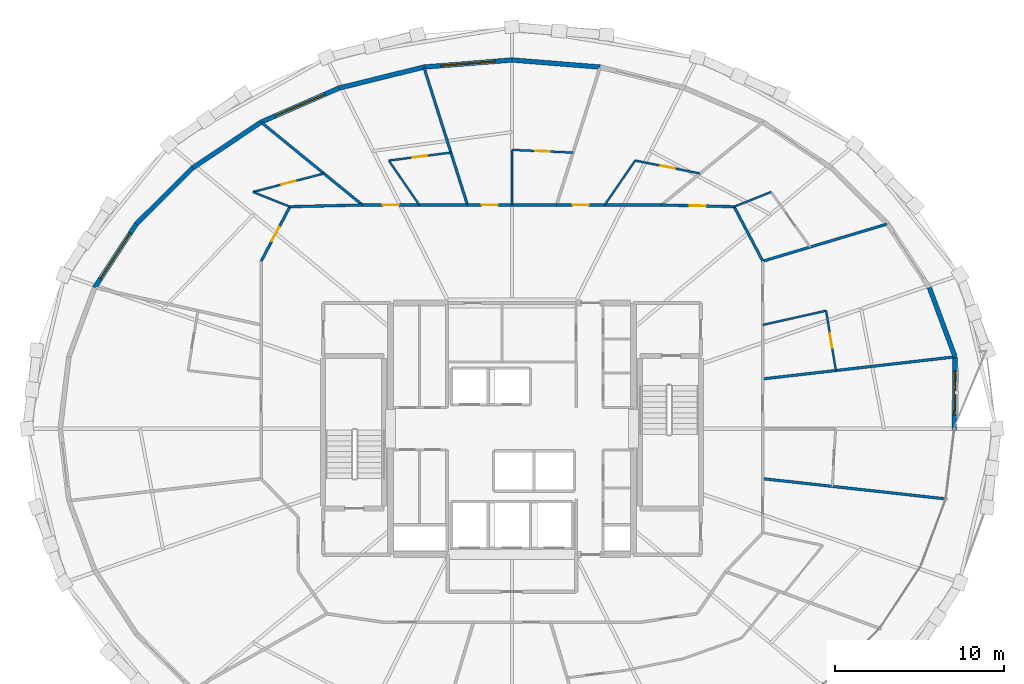
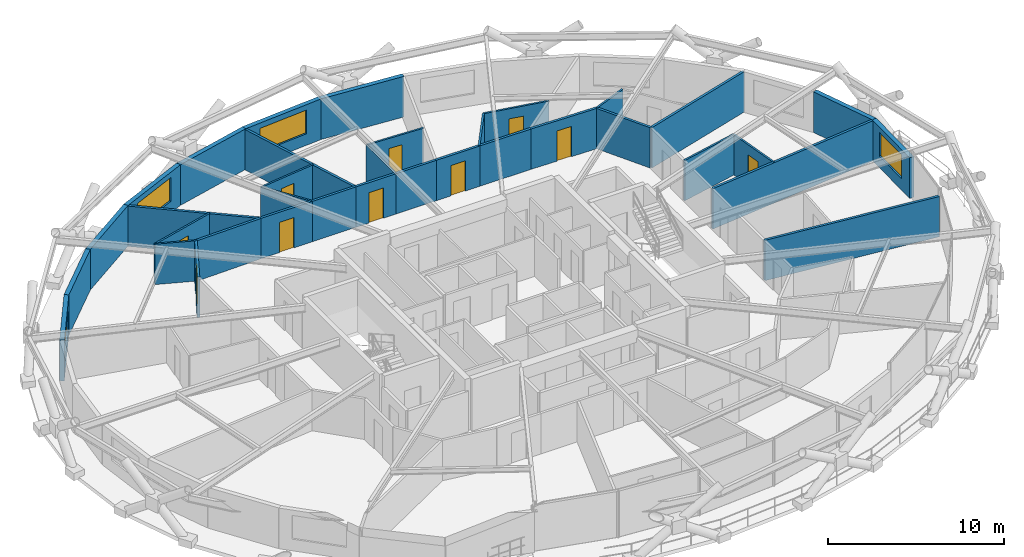
# One storey, part 16 of 20: 35 walls, 10 doors, 4 windows, 14 openings.
"""IFC4 building model written with IfcOpenShell, lengths in metres."""

from ifc_helpers import new_model, si_unit, direction, frame, frame_2d, origin, place, context, subcontext, project, spatial, rectangle, extrude, material, layer, layer_set, type_object, element, fill, save


model = new_model("IFC4")

# Units and contexts
model_context = context("Model", 3, precision=1e-05, world=origin(), true_north=direction((0.0, 1.0)))
body_context = subcontext(model_context, "Body", "Model", "MODEL_VIEW")
ifc_project = project(units=[si_unit("LENGTHUNIT", "METRE"), si_unit("AREAUNIT", "SQUARE_METRE"), si_unit("VOLUMEUNIT", "CUBIC_METRE"), si_unit("PLANEANGLEUNIT", "RADIAN"), si_unit("MASSUNIT", "GRAM", prefix="KILO")], contexts=[model_context])

# Site, building, storey
site_placement = place(None, origin())
site = spatial("IfcSite", under=ifc_project, at=site_placement, CompositionType="ELEMENT")
building_placement = place(site_placement, origin())
building = spatial("IfcBuilding", under=site, at=building_placement, Name="Veldorina Hangang Commons", CompositionType="ELEMENT")
storey_placement = place(building_placement, frame((0.0, 0.0, 117.199951171875)))
storey = spatial("IfcBuildingStorey", under=building, at=storey_placement, Name="L29", CompositionType="ELEMENT", Elevation=117.199951171875)

# Wall, opening, window
ifc_material_1 = material(Name="Stone Roman Travertine", Category="masonry")
ifc_layer_1 = layer(ifc_material_1, 0.280029296875)
ifc_layer_set_1 = layer_set([ifc_layer_1], Name="Stone Roman Travertine")
wall_type_1 = type_object("IfcWallType", Name="EW-TRAV-280", PredefinedType="STANDARD", material=ifc_layer_set_1)
wall_1_placement = place(storey_placement, frame((58.185546875, 23.907958984375, 0.0), z_axis=(0.0, 0.0, 1.0), x_axis=(0.010826854859, 0.999941387889, 0.0)))
wall_1 = element("IfcWall", 1, at=wall_1_placement, inside=storey, type_object=wall_type_1, Name="L29 travertine facade wall 00", PredefinedType="STANDARD", context=body_context, shape_type="SweptSolid", body=[
    extrude(rectangle(XDim=4.35205078125, YDim=0.280029296875, at=frame_2d((2.176025390625, 0.0))), origin(), (0.0, 0.0, 1.0), 2.820068359375),
])
opening_1_placement = place(wall_1_placement, frame((0.922119140625, 0.0, 0.800048828125)))
opening_1 = element("IfcOpeningElement", 2, at=opening_1_placement, cuts=wall_1, Name="Opening W-02", PredefinedType="OPENING", context=body_context, shape_type="SweptSolid", body=[
    extrude(rectangle(XDim=2.60009765625, YDim=1.64990234375, at=frame_2d((1.300048828125, 0.824951171875))), frame((0.0, 0.14990234375, 0.0), z_axis=(0.0, -1.0, 0.0), x_axis=(1.0, 0.0, 0.0)), (0.0, 0.0, 1.0), 0.300048828125),
])
ifc_material_2 = material(Name="Glass Low-E Triple IGU", Category="glass")
window_type_1 = type_object("IfcWindowType", Name="WIN-TWR-2600", PartitioningType="SINGLE_PANEL", PredefinedType="WINDOW", material=ifc_material_2)
window_1_placement = place(opening_1_placement, origin())
window_1 = element("IfcWindow", 3, at=window_1_placement, inside=storey, type_object=window_type_1, Name="L29 facade window 00", OverallHeight=1.64990234375, OverallWidth=2.60009765625, PartitioningType="SINGLE_PANEL", PredefinedType="WINDOW", context=body_context, shape_type="SweptSolid", body=[
    extrude(rectangle(XDim=2.60009765625, YDim=1.64990234375, at=frame_2d((1.300048828125, 0.824951171875))), frame((0.0, 0.030029296875, 0.0), z_axis=(0.0, -1.0, 0.0), x_axis=(1.0, 0.0, 0.0)), (0.0, 0.0, 1.0), 0.06005859375),
])
fill(opening_1, window_1)

# Walls
wall_2_placement = place(storey_placement, frame((58.232666015625, 28.259765625, 0.0), z_axis=(0.0, 0.0, 1.0), x_axis=(-0.34836047158, 0.937360646625, 0.0)))
element("IfcWall", 4, at=wall_2_placement, inside=storey, type_object=wall_type_1, Name="L29 travertine facade wall 01", PredefinedType="STANDARD", context=body_context, shape_type="SweptSolid", body=[
    extrude(rectangle(XDim=4.36962890625, YDim=0.280029296875, at=frame_2d((2.184814453125, 0.0))), origin(), (0.0, 0.0, 1.0), 2.820068359375),
])
wall_3_placement = place(storey_placement, frame((37.218017578125, 45.4150390625, 0.0), z_axis=(0.0, 0.0, 1.0), x_axis=(-0.996781229601, 0.080169696986, 0.0)))
element("IfcWall", 5, at=wall_3_placement, inside=storey, type_object=wall_type_1, Name="L29 travertine facade wall 07", PredefinedType="STANDARD", context=body_context, shape_type="SweptSolid", body=[
    extrude(rectangle(XDim=5.23486328125, YDim=0.280029296875, at=frame_2d((2.617431640625, 0.0))), origin(), (0.0, 0.0, 1.0), 2.820068359375),
])

# Wall, opening, window
wall_4_placement = place(storey_placement, frame((32.0, 45.834716796875, 0.0), z_axis=(0.0, 0.0, 1.0), x_axis=(-0.996781229601, -0.080169696986, 0.0)))
wall_4 = element("IfcWall", 6, at=wall_4_placement, inside=storey, type_object=wall_type_1, Name="L29 travertine facade wall 08", PredefinedType="STANDARD", context=body_context, shape_type="SweptSolid", body=[
    extrude(rectangle(XDim=5.23486328125, YDim=0.280029296875, at=frame_2d((2.617431640625, 0.0))), origin(), (0.0, 0.0, 1.0), 2.820068359375),
])
opening_2_placement = place(wall_4_placement, frame((1.017333984375, 0.0, 0.800048828125)))
opening_2 = element("IfcOpeningElement", 7, at=opening_2_placement, cuts=wall_4, Name="Opening W-01", PredefinedType="OPENING", context=body_context, shape_type="SweptSolid", body=[
    extrude(rectangle(XDim=3.199951171875, YDim=1.64990234375, at=frame_2d((1.60009765625, 0.824951171875))), frame((0.0, 0.14990234375, 0.0), z_axis=(0.0, -1.0, 0.0), x_axis=(1.0, 0.0, 0.0)), (0.0, 0.0, 1.0), 0.300048828125),
])
window_type_2 = type_object("IfcWindowType", Name="WIN-TWR-3200", PartitioningType="SINGLE_PANEL", PredefinedType="WINDOW", material=ifc_material_2)
window_2_placement = place(opening_2_placement, origin())
window_2 = element("IfcWindow", 8, at=window_2_placement, inside=storey, type_object=window_type_2, Name="L29 facade window 08", OverallHeight=1.64990234375, OverallWidth=3.199951171875, PartitioningType="SINGLE_PANEL", PredefinedType="WINDOW", context=body_context, shape_type="SweptSolid", body=[
    extrude(rectangle(XDim=3.199951171875, YDim=1.64990234375, at=frame_2d((1.60009765625, 0.824951171875))), frame((0.0, 0.030029296875, 0.0), z_axis=(0.0, -1.0, 0.0), x_axis=(1.0, 0.0, 0.0)), (0.0, 0.0, 1.0), 0.06005859375),
])
fill(opening_2, window_2)

# Wall
wall_5_placement = place(storey_placement, frame((26.781982421875, 45.4150390625, 0.0), z_axis=(0.0, 0.0, 1.0), x_axis=(-0.970681867926, -0.24036786657, 0.0)))
element("IfcWall", 9, at=wall_5_placement, inside=storey, type_object=wall_type_1, Name="L29 travertine facade wall 09", PredefinedType="STANDARD", context=body_context, shape_type="SweptSolid", body=[
    extrude(rectangle(XDim=5.1689453125, YDim=0.280029296875, at=frame_2d((2.58447265625, 0.0))), origin(), (0.0, 0.0, 1.0), 2.820068359375),
])

# Wall, opening, window
wall_6_placement = place(storey_placement, frame((21.7646484375, 44.172607421875, 0.0), z_axis=(0.0, 0.0, 1.0), x_axis=(-0.916542280899, -0.39993780432, 0.0)))
wall_6 = element("IfcWall", 10, at=wall_6_placement, inside=storey, type_object=wall_type_1, Name="L29 travertine facade wall 10", PredefinedType="STANDARD", context=body_context, shape_type="SweptSolid", body=[
    extrude(rectangle(XDim=5.04541015625, YDim=0.280029296875, at=frame_2d((2.522705078125, 0.0))), origin(), (0.0, 0.0, 1.0), 2.820068359375),
])
opening_3_placement = place(wall_6_placement, frame((0.922607421875, 0.0, 0.800048828125)))
opening_3 = element("IfcOpeningElement", 11, at=opening_3_placement, cuts=wall_6, Name="Opening W-01", PredefinedType="OPENING", context=body_context, shape_type="SweptSolid", body=[
    extrude(rectangle(XDim=3.199951171875, YDim=1.64990234375, at=frame_2d((1.60009765625, 0.824951171875))), frame((0.0, 0.14990234375, 0.0), z_axis=(0.0, -1.0, 0.0), x_axis=(1.0, 0.0, 0.0)), (0.0, 0.0, 1.0), 0.300048828125),
])
window_3_placement = place(opening_3_placement, origin())
window_3 = element("IfcWindow", 12, at=window_3_placement, inside=storey, type_object=window_type_2, Name="L29 facade window 10", OverallHeight=1.64990234375, OverallWidth=3.199951171875, PartitioningType="SINGLE_PANEL", PredefinedType="WINDOW", context=body_context, shape_type="SweptSolid", body=[
    extrude(rectangle(XDim=3.199951171875, YDim=1.64990234375, at=frame_2d((1.60009765625, 0.824951171875))), frame((0.0, 0.030029296875, 0.0), z_axis=(0.0, -1.0, 0.0), x_axis=(1.0, 0.0, 0.0)), (0.0, 0.0, 1.0), 0.06005859375),
])
fill(opening_3, window_3)

# Walls
wall_7_placement = place(storey_placement, frame((17.140380859375, 42.15478515625, 0.0), z_axis=(0.0, 0.0, 1.0), x_axis=(-0.830785482437, -0.556592743549, 0.0)))
element("IfcWall", 13, at=wall_7_placement, inside=storey, type_object=wall_type_1, Name="L29 travertine facade wall 11", PredefinedType="STANDARD", context=body_context, shape_type="SweptSolid", body=[
    extrude(rectangle(XDim=4.87841796875, YDim=0.280029296875, at=frame_2d((2.439208984375, 0.0))), origin(), (0.0, 0.0, 1.0), 2.820068359375),
])
wall_8_placement = place(storey_placement, frame((13.08740234375, 39.439453125, 0.0), z_axis=(0.0, 0.0, 1.0), x_axis=(-0.708977561681, -0.705231038052, 0.0)))
element("IfcWall", 14, at=wall_8_placement, inside=storey, type_object=wall_type_1, Name="L29 travertine facade wall 12", PredefinedType="STANDARD", context=body_context, shape_type="SweptSolid", body=[
    extrude(rectangle(XDim=4.69189453125, YDim=0.280029296875, at=frame_2d((2.345947265625, 0.0))), origin(), (0.0, 0.0, 1.0), 2.820068359375),
])

# Wall, opening, window
wall_9_placement = place(storey_placement, frame((9.760986328125, 36.130615234375, 0.0), z_axis=(0.0, 0.0, 1.0), x_axis=(-0.547750773174, -0.836641554363, 0.0)))
wall_9 = element("IfcWall", 15, at=wall_9_placement, inside=storey, type_object=wall_type_1, Name="L29 travertine facade wall 13", PredefinedType="STANDARD", context=body_context, shape_type="SweptSolid", body=[
    extrude(rectangle(XDim=4.511962890625, YDim=0.280029296875, at=frame_2d((2.255859375, 0.0))), origin(), (0.0, 0.0, 1.0), 2.820068359375),
])
opening_4_placement = place(wall_9_placement, frame((0.656005859375, 0.0, 0.800048828125)))
opening_4 = element("IfcOpeningElement", 16, at=opening_4_placement, cuts=wall_9, Name="Opening W-01", PredefinedType="OPENING", context=body_context, shape_type="SweptSolid", body=[
    extrude(rectangle(XDim=3.199951171875, YDim=1.64990234375, at=frame_2d((1.60009765625, 0.824951171875))), frame((0.0, 0.14990234375, 0.0), z_axis=(0.0, -1.0, 0.0), x_axis=(1.0, 0.0, 0.0)), (0.0, 0.0, 1.0), 0.300048828125),
])
window_4_placement = place(opening_4_placement, origin())
window_4 = element("IfcWindow", 17, at=window_4_placement, inside=storey, type_object=window_type_2, Name="L29 facade window 13", OverallHeight=1.64990234375, OverallWidth=3.199951171875, PartitioningType="SINGLE_PANEL", PredefinedType="WINDOW", context=body_context, shape_type="SweptSolid", body=[
    extrude(rectangle(XDim=3.199951171875, YDim=1.64990234375, at=frame_2d((1.60009765625, 0.824951171875))), frame((0.0, 0.030029296875, 0.0), z_axis=(0.0, -1.0, 0.0), x_axis=(1.0, 0.0, 0.0)), (0.0, 0.0, 1.0), 0.06005859375),
])
fill(opening_4, window_4)

# Wall
ifc_material_3 = material(Name="Gypsum Fire-Rated Twin Stud Wall", Category="gypsum")
ifc_layer_2 = layer(ifc_material_3, 0.159912109375)
ifc_layer_set_2 = layer_set([ifc_layer_2], Name="Gypsum Fire-Rated Twin Stud Wall")
wall_type_2 = type_object("IfcWallType", Name="WL-FIRE-160", PredefinedType="SOLIDWALL", material=ifc_layer_set_2)
wall_10_placement = place(storey_placement, frame((46.85009765625, 33.922607421875, 0.0), z_axis=(0.0, 0.0, 1.0), x_axis=(-0.466093963429, 0.884735224378, 0.0)))
element("IfcWall", 18, at=wall_10_placement, inside=storey, type_object=wall_type_2, Name="L29 U-corridor outer wall 03 053", PredefinedType="SOLIDWALL", context=body_context, shape_type="SweptSolid", body=[
    extrude(rectangle(XDim=3.647705078125, YDim=0.159912109375, at=frame_2d((1.82373046875, 0.0))), origin(), (0.0, 0.0, 1.0), 2.800048828125),
])

# Wall, opening, door
wall_11_placement = place(storey_placement, frame((45.14990234375, 37.14990234375, 0.0), z_axis=(0.0, 0.0, 1.0), x_axis=(-0.999728709658, 0.023291781507, 0.0)))
wall_11 = element("IfcWall", 19, at=wall_11_placement, inside=storey, type_object=wall_type_2, Name="L29 U-corridor outer wall 04 054", PredefinedType="SOLIDWALL", context=body_context, shape_type="SweptSolid", body=[
    extrude(rectangle(XDim=4.297607421875, YDim=0.159912109375, at=frame_2d((2.14892578125, 0.0))), origin(), (0.0, 0.0, 1.0), 2.800048828125),
])
opening_5_placement = place(wall_11_placement, frame((1.673828125, 0.0, 0.0)))
opening_5 = element("IfcOpeningElement", 20, at=opening_5_placement, cuts=wall_11, Name="Opening D-03", PredefinedType="OPENING", context=body_context, shape_type="SweptSolid", body=[
    extrude(rectangle(XDim=0.949951171875, YDim=2.10009765625, at=frame_2d((0.47509765625, 1.050048828125))), frame((0.0, 0.08984375, 0.0), z_axis=(0.0, -1.0, 0.0), x_axis=(1.0, 0.0, 0.0)), (0.0, 0.0, 1.0), 0.179931640625),
])
ifc_material_4 = material(Name="Timber Fire-Rated Entrance Core", Category="wood")
door_type_1 = type_object("IfcDoorType", Name="DR-UNIT-950", OperationType="SINGLE_SWING_RIGHT", PredefinedType="DOOR", material=ifc_material_4)
door_1_placement = place(opening_5_placement, origin())
door_1 = element("IfcDoor", 21, at=door_1_placement, inside=storey, type_object=door_type_1, Name="L29 Studio 5 entrance door 031", OperationType="SINGLE_SWING_LEFT", OverallHeight=2.10009765625, OverallWidth=0.949951171875, PredefinedType="DOOR", context=body_context, shape_type="SweptSolid", body=[
    extrude(rectangle(XDim=0.949951171875, YDim=2.10009765625, at=frame_2d((0.47509765625, 1.050048828125))), frame((0.0, 0.02490234375, 0.0), z_axis=(0.0, -1.0, 0.0), x_axis=(1.0, 0.0, 0.0)), (0.0, 0.0, 1.0), 0.050048828125),
])
fill(opening_5, door_1)

# Wall
wall_12_placement = place(storey_placement, frame((40.853515625, 37.25, 0.0), z_axis=(0.0, 0.0, 1.0), x_axis=(-1.0, 0.0, 0.0)))
element("IfcWall", 22, at=wall_12_placement, inside=storey, type_object=wall_type_2, Name="L29 U-corridor outer wall 05 055", PredefinedType="SOLIDWALL", context=body_context, shape_type="SweptSolid", body=[
    extrude(rectangle(XDim=3.365234375, YDim=0.159912109375, at=frame_2d((1.6826171875, 0.0))), origin(), (0.0, 0.0, 1.0), 2.800048828125),
])

# Wall, opening, door
wall_13_placement = place(storey_placement, frame((37.48828125, 37.25, 0.0), z_axis=(0.0, 0.0, 1.0), x_axis=(-1.0, 0.0, 0.0)))
wall_13 = element("IfcWall", 23, at=wall_13_placement, inside=storey, type_object=wall_type_2, Name="L29 U-corridor outer wall 06 056", PredefinedType="SOLIDWALL", context=body_context, shape_type="SweptSolid", body=[
    extrude(rectangle(XDim=2.852783203125, YDim=0.159912109375, at=frame_2d((1.42626953125, 0.0))), origin(), (0.0, 0.0, 1.0), 2.800048828125),
])
opening_6_placement = place(wall_13_placement, frame((0.951416015625, 0.0, 0.0)))
opening_6 = element("IfcOpeningElement", 24, at=opening_6_placement, cuts=wall_13, Name="Opening D-03", PredefinedType="OPENING", context=body_context, shape_type="SweptSolid", body=[
    extrude(rectangle(XDim=0.949951171875, YDim=2.10009765625, at=frame_2d((0.47509765625, 1.050048828125))), frame((0.0, 0.08984375, 0.0), z_axis=(0.0, -1.0, 0.0), x_axis=(1.0, 0.0, 0.0)), (0.0, 0.0, 1.0), 0.179931640625),
])
door_2_placement = place(opening_6_placement, origin())
door_2 = element("IfcDoor", 25, at=door_2_placement, inside=storey, type_object=door_type_1, Name="L29 Studio 6 entrance door 033", OperationType="SINGLE_SWING_LEFT", OverallHeight=2.10009765625, OverallWidth=0.949951171875, PredefinedType="DOOR", context=body_context, shape_type="SweptSolid", body=[
    extrude(rectangle(XDim=0.949951171875, YDim=2.10009765625, at=frame_2d((0.47509765625, 1.050048828125))), frame((0.0, 0.02490234375, 0.0), z_axis=(0.0, -1.0, 0.0), x_axis=(1.0, 0.0, 0.0)), (0.0, 0.0, 1.0), 0.050048828125),
])
fill(opening_6, door_2)

# Wall
wall_14_placement = place(storey_placement, frame((34.635498046875, 37.25, 0.0), z_axis=(0.0, 0.0, 1.0), x_axis=(-1.0, 0.0, 0.0)))
element("IfcWall", 26, at=wall_14_placement, inside=storey, type_object=wall_type_2, Name="L29 U-corridor outer wall 07 057", PredefinedType="SOLIDWALL", context=body_context, shape_type="SweptSolid", body=[
    extrude(rectangle(XDim=2.635498046875, YDim=0.159912109375, at=frame_2d((1.31787109375, 0.0))), origin(), (0.0, 0.0, 1.0), 2.800048828125),
])

# Wall, opening, door
wall_15_placement = place(storey_placement, frame((32.0, 37.25, 0.0), z_axis=(0.0, 0.0, 1.0), x_axis=(-1.0, 0.0, 0.0)))
wall_15 = element("IfcWall", 27, at=wall_15_placement, inside=storey, type_object=wall_type_2, Name="L29 U-corridor outer wall 08 058", PredefinedType="SOLIDWALL", context=body_context, shape_type="SweptSolid", body=[
    extrude(rectangle(XDim=2.635498046875, YDim=0.159912109375, at=frame_2d((1.31787109375, 0.0))), origin(), (0.0, 0.0, 1.0), 2.800048828125),
])
opening_7_placement = place(wall_15_placement, frame((0.8427734375, 0.0, 0.0)))
opening_7 = element("IfcOpeningElement", 28, at=opening_7_placement, cuts=wall_15, Name="Opening D-03", PredefinedType="OPENING", context=body_context, shape_type="SweptSolid", body=[
    extrude(rectangle(XDim=0.949951171875, YDim=2.10009765625, at=frame_2d((0.47509765625, 1.050048828125))), frame((0.0, 0.08984375, 0.0), z_axis=(0.0, -1.0, 0.0), x_axis=(1.0, 0.0, 0.0)), (0.0, 0.0, 1.0), 0.179931640625),
])
door_3_placement = place(opening_7_placement, origin())
door_3 = element("IfcDoor", 29, at=door_3_placement, inside=storey, type_object=door_type_1, Name="L29 Studio 7 entrance door 035", OperationType="SINGLE_SWING_LEFT", OverallHeight=2.10009765625, OverallWidth=0.949951171875, PredefinedType="DOOR", context=body_context, shape_type="SweptSolid", body=[
    extrude(rectangle(XDim=0.949951171875, YDim=2.10009765625, at=frame_2d((0.47509765625, 1.050048828125))), frame((0.0, 0.02490234375, 0.0), z_axis=(0.0, -1.0, 0.0), x_axis=(1.0, 0.0, 0.0)), (0.0, 0.0, 1.0), 0.050048828125),
])
fill(opening_7, door_3)

# Wall
wall_16_placement = place(storey_placement, frame((29.364501953125, 37.25, 0.0), z_axis=(0.0, 0.0, 1.0), x_axis=(-1.0, 0.0, 0.0)))
element("IfcWall", 30, at=wall_16_placement, inside=storey, type_object=wall_type_2, Name="L29 U-corridor outer wall 09 059", PredefinedType="SOLIDWALL", context=body_context, shape_type="SweptSolid", body=[
    extrude(rectangle(XDim=2.852783203125, YDim=0.159912109375, at=frame_2d((1.42626953125, 0.0))), origin(), (0.0, 0.0, 1.0), 2.800048828125),
])

# Wall, opening, door
wall_17_placement = place(storey_placement, frame((26.51171875, 37.25, 0.0), z_axis=(0.0, 0.0, 1.0), x_axis=(-1.0, 0.0, 0.0)))
wall_17 = element("IfcWall", 31, at=wall_17_placement, inside=storey, type_object=wall_type_2, Name="L29 U-corridor outer wall 10 060", PredefinedType="SOLIDWALL", context=body_context, shape_type="SweptSolid", body=[
    extrude(rectangle(XDim=3.365234375, YDim=0.159912109375, at=frame_2d((1.6826171875, 0.0))), origin(), (0.0, 0.0, 1.0), 2.800048828125),
])
opening_8_placement = place(wall_17_placement, frame((1.20751953125, 0.0, 0.0)))
opening_8 = element("IfcOpeningElement", 32, at=opening_8_placement, cuts=wall_17, Name="Opening D-03", PredefinedType="OPENING", context=body_context, shape_type="SweptSolid", body=[
    extrude(rectangle(XDim=0.949951171875, YDim=2.10009765625, at=frame_2d((0.47509765625, 1.050048828125))), frame((0.0, 0.08984375, 0.0), z_axis=(0.0, -1.0, 0.0), x_axis=(1.0, 0.0, 0.0)), (0.0, 0.0, 1.0), 0.179931640625),
])
door_4_placement = place(opening_8_placement, origin())
door_4 = element("IfcDoor", 33, at=door_4_placement, inside=storey, type_object=door_type_1, Name="L29 Studio 8 entrance door 037", OperationType="SINGLE_SWING_LEFT", OverallHeight=2.10009765625, OverallWidth=0.949951171875, PredefinedType="DOOR", context=body_context, shape_type="SweptSolid", body=[
    extrude(rectangle(XDim=0.949951171875, YDim=2.10009765625, at=frame_2d((0.47509765625, 1.050048828125))), frame((0.0, 0.02490234375, 0.0), z_axis=(0.0, -1.0, 0.0), x_axis=(1.0, 0.0, 0.0)), (0.0, 0.0, 1.0), 0.050048828125),
])
fill(opening_8, door_4)

# Wall
wall_18_placement = place(storey_placement, frame((23.146484375, 37.25, 0.0), z_axis=(0.0, 0.0, 1.0), x_axis=(-0.999728709658, -0.023291781507, 0.0)))
element("IfcWall", 34, at=wall_18_placement, inside=storey, type_object=wall_type_2, Name="L29 U-corridor outer wall 11 061", PredefinedType="SOLIDWALL", context=body_context, shape_type="SweptSolid", body=[
    extrude(rectangle(XDim=4.297607421875, YDim=0.159912109375, at=frame_2d((2.14892578125, 0.0))), origin(), (0.0, 0.0, 1.0), 2.800048828125),
])

# Wall, opening, door
wall_19_placement = place(storey_placement, frame((18.85009765625, 37.14990234375, 0.0), z_axis=(0.0, 0.0, 1.0), x_axis=(-0.466093963429, -0.884735224378, 0.0)))
wall_19 = element("IfcWall", 35, at=wall_19_placement, inside=storey, type_object=wall_type_2, Name="L29 U-corridor outer wall 12 062", PredefinedType="SOLIDWALL", context=body_context, shape_type="SweptSolid", body=[
    extrude(rectangle(XDim=3.647705078125, YDim=0.159912109375, at=frame_2d((1.82373046875, 0.0))), origin(), (0.0, 0.0, 1.0), 2.800048828125),
])
opening_9_placement = place(wall_19_placement, frame((1.348876953125, 0.0, 0.0)))
opening_9 = element("IfcOpeningElement", 36, at=opening_9_placement, cuts=wall_19, Name="Opening D-03", PredefinedType="OPENING", context=body_context, shape_type="SweptSolid", body=[
    extrude(rectangle(XDim=0.949951171875, YDim=2.10009765625, at=frame_2d((0.47509765625, 1.050048828125))), frame((0.0, 0.08984375, 0.0), z_axis=(0.0, -1.0, 0.0), x_axis=(1.0, 0.0, 0.0)), (0.0, 0.0, 1.0), 0.179931640625),
])
door_5_placement = place(opening_9_placement, origin())
door_5 = element("IfcDoor", 37, at=door_5_placement, inside=storey, type_object=door_type_1, Name="L29 Studio 9 entrance door 039", OperationType="SINGLE_SWING_LEFT", OverallHeight=2.10009765625, OverallWidth=0.949951171875, PredefinedType="DOOR", context=body_context, shape_type="SweptSolid", body=[
    extrude(rectangle(XDim=0.949951171875, YDim=2.10009765625, at=frame_2d((0.47509765625, 1.050048828125))), frame((0.0, 0.02490234375, 0.0), z_axis=(0.0, -1.0, 0.0), x_axis=(1.0, 0.0, 0.0)), (0.0, 0.0, 1.0), 0.050048828125),
])
fill(opening_9, door_5)

# Walls
wall_20_placement = place(storey_placement, frame((46.85009765625, 21.046142578125, 0.0), z_axis=(0.0, 0.0, 1.0), x_axis=(0.993954333891, -0.109794271889, 0.0)))
element("IfcWall", 38, at=wall_20_placement, inside=storey, type_object=wall_type_2, Name="L29 Unit party wall 31 090", PredefinedType="SOLIDWALL", context=body_context, shape_type="SweptSolid", body=[
    extrude(rectangle(XDim=10.84912109375, YDim=0.159912109375, at=frame_2d((5.424560546875, 0.0))), origin(), (0.0, 0.0, 1.0), 2.800048828125),
])
wall_21_placement = place(storey_placement, frame((46.85009765625, 26.953857421875, 0.0), z_axis=(0.0, 0.0, 1.0), x_axis=(0.993484362684, 0.113968509259, 0.0)))
element("IfcWall", 39, at=wall_21_placement, inside=storey, type_object=wall_type_2, Name="L29 Unit party wall 01 093", PredefinedType="SOLIDWALL", context=body_context, shape_type="SweptSolid", body=[
    extrude(rectangle(XDim=11.406982421875, YDim=0.159912109375, at=frame_2d((5.70361328125, 0.0))), origin(), (0.0, 0.0, 1.0), 2.800048828125),
])
wall_22_placement = place(storey_placement, frame((46.85009765625, 33.922607421875, 0.0), z_axis=(0.0, 0.0, 1.0), x_axis=(0.958127454942, 0.286342068315, 0.0)))
element("IfcWall", 40, at=wall_22_placement, inside=storey, type_object=wall_type_2, Name="L29 Unit party wall 03 096", PredefinedType="SOLIDWALL", context=body_context, shape_type="SweptSolid", body=[
    extrude(rectangle(XDim=7.66162109375, YDim=0.159912109375, at=frame_2d((3.830810546875, 0.0))), origin(), (0.0, 0.0, 1.0), 2.800048828125),
])
wall_23_placement = place(storey_placement, frame((29.364501953125, 37.25, 0.0), z_axis=(0.0, 0.0, 1.0), x_axis=(-0.301556782857, 0.953448219209, 0.0)))
element("IfcWall", 41, at=wall_23_placement, inside=storey, type_object=wall_type_2, Name="L29 Unit party wall 09 105", PredefinedType="SOLIDWALL", context=body_context, shape_type="SweptSolid", body=[
    extrude(rectangle(XDim=8.513671875, YDim=0.159912109375, at=frame_2d((4.2568359375, 0.0))), origin(), (0.0, 0.0, 1.0), 2.800048828125),
])
wall_24_placement = place(storey_placement, frame((23.146484375, 37.25, 0.0), z_axis=(0.0, 0.0, 1.0), x_axis=(-0.774531610093, 0.632535204528, 0.0)))
element("IfcWall", 42, at=wall_24_placement, inside=storey, type_object=wall_type_2, Name="L29 Unit party wall 11 108", PredefinedType="SOLIDWALL", context=body_context, shape_type="SweptSolid", body=[
    extrude(rectangle(XDim=7.704345703125, YDim=0.159912109375, at=frame_2d((3.85205078125, 0.0))), origin(), (0.0, 0.0, 1.0), 2.800048828125),
])

# Wall, opening, door
ifc_material_5 = material(Name="Gypsum Acoustic Stud Partition", Category="gypsum")
ifc_layer_3 = layer(ifc_material_5, 0.1201171875)
ifc_layer_set_3 = layer_set([ifc_layer_3], Name="Gypsum Acoustic Stud Partition")
wall_type_3 = type_object("IfcWallType", Name="WL-PART-120", PredefinedType="PARTITIONING", material=ifc_layer_set_3)
wall_25_placement = place(storey_placement, frame((51.17529296875, 27.449951171875, 0.0), z_axis=(0.0, 0.0, 1.0), x_axis=(-0.161295662085, 0.98690612998, 0.0)))
wall_25 = element("IfcWall", 43, at=wall_25_placement, inside=storey, type_object=wall_type_3, Name="L29 Studio 4 bath front wall 094", PredefinedType="PARTITIONING", context=body_context, shape_type="SweptSolid", body=[
    extrude(rectangle(XDim=3.585693359375, YDim=0.1201171875, at=frame_2d((1.79296875, 0.0))), origin(), (0.0, 0.0, 1.0), 2.800048828125),
])
opening_10_placement = place(wall_25_placement, frame((1.36279296875, 0.0, 0.0)))
opening_10 = element("IfcOpeningElement", 44, at=opening_10_placement, cuts=wall_25, Name="Opening D-01", PredefinedType="OPENING", context=body_context, shape_type="SweptSolid", body=[
    extrude(rectangle(XDim=0.860107421875, YDim=2.10009765625, at=frame_2d((0.43017578125, 1.050048828125))), frame((0.0, 0.070068359375, 0.0), z_axis=(0.0, -1.0, 0.0), x_axis=(1.0, 0.0, 0.0)), (0.0, 0.0, 1.0), 0.14013671875),
])
ifc_material_6 = material(Name="Timber Moisture-Resistant Core", Category="wood")
door_type_2 = type_object("IfcDoorType", Name="DR-WET-860", OperationType="SINGLE_SWING_LEFT", PredefinedType="DOOR", material=ifc_material_6)
door_6_placement = place(opening_10_placement, origin())
door_6 = element("IfcDoor", 45, at=door_6_placement, inside=storey, type_object=door_type_2, Name="L29 Studio 4 bathroom door 028", OperationType="SINGLE_SWING_RIGHT", OverallHeight=2.10009765625, OverallWidth=0.860107421875, PredefinedType="DOOR", context=body_context, shape_type="SweptSolid", body=[
    extrude(rectangle(XDim=0.860107421875, YDim=2.10009765625, at=frame_2d((0.43017578125, 1.050048828125))), frame((0.0, 0.02490234375, 0.0), z_axis=(0.0, -1.0, 0.0), x_axis=(1.0, 0.0, 0.0)), (0.0, 0.0, 1.0), 0.050048828125),
])
fill(opening_10, door_6)

# Walls
wall_26_placement = place(storey_placement, frame((46.85009765625, 30.151123046875, 0.0), z_axis=(0.0, 0.0, 1.0), x_axis=(0.975909463738, 0.218175889104, 0.0)))
element("IfcWall", 46, at=wall_26_placement, inside=storey, type_object=wall_type_3, Name="L29 Studio 4 bath side wall 095", PredefinedType="PARTITIONING", context=body_context, shape_type="SweptSolid", body=[
    extrude(rectangle(XDim=3.83935546875, YDim=0.1201171875, at=frame_2d((1.919677734375, 0.0))), origin(), (0.0, 0.0, 1.0), 2.800048828125),
])
wall_27_placement = place(storey_placement, frame((45.14990234375, 37.14990234375, 0.0), z_axis=(0.0, 0.0, 1.0), x_axis=(0.929331632403, 0.369246146921, 0.0)))
element("IfcWall", 47, at=wall_27_placement, inside=storey, type_object=wall_type_3, Name="L29 Studio 5 bath side wall 098", PredefinedType="PARTITIONING", context=body_context, shape_type="SweptSolid", body=[
    extrude(rectangle(XDim=2.3564453125, YDim=0.1201171875, at=frame_2d((1.17822265625, 0.0))), origin(), (0.0, 0.0, 1.0), 2.800048828125),
])

# Wall, opening, door
wall_28_placement = place(storey_placement, frame((43.1357421875, 39.11376953125, 0.0), z_axis=(0.0, 0.0, 1.0), x_axis=(-0.980671612986, 0.195660899218, 0.0)))
wall_28 = element("IfcWall", 48, at=wall_28_placement, inside=storey, type_object=wall_type_3, Name="L29 Studio 6 bath front wall 100", PredefinedType="PARTITIONING", context=body_context, shape_type="SweptSolid", body=[
    extrude(rectangle(XDim=3.919189453125, YDim=0.1201171875, at=frame_2d((1.95947265625, 0.0))), origin(), (0.0, 0.0, 1.0), 2.800048828125),
])
opening_11_placement = place(wall_28_placement, frame((1.529541015625, 0.0, 0.0)))
opening_11 = element("IfcOpeningElement", 49, at=opening_11_placement, cuts=wall_28, Name="Opening D-01", PredefinedType="OPENING", context=body_context, shape_type="SweptSolid", body=[
    extrude(rectangle(XDim=0.860107421875, YDim=2.10009765625, at=frame_2d((0.43017578125, 1.050048828125))), frame((0.0, 0.070068359375, 0.0), z_axis=(0.0, -1.0, 0.0), x_axis=(1.0, 0.0, 0.0)), (0.0, 0.0, 1.0), 0.14013671875),
])
door_7_placement = place(opening_11_placement, origin())
door_7 = element("IfcDoor", 50, at=door_7_placement, inside=storey, type_object=door_type_2, Name="L29 Studio 6 bathroom door 032", OperationType="SINGLE_SWING_RIGHT", OverallHeight=2.10009765625, OverallWidth=0.860107421875, PredefinedType="DOOR", context=body_context, shape_type="SweptSolid", body=[
    extrude(rectangle(XDim=0.860107421875, YDim=2.10009765625, at=frame_2d((0.43017578125, 1.050048828125))), frame((0.0, 0.02490234375, 0.0), z_axis=(0.0, -1.0, 0.0), x_axis=(1.0, 0.0, 0.0)), (0.0, 0.0, 1.0), 0.050048828125),
])
fill(opening_11, door_7)

# Wall
wall_29_placement = place(storey_placement, frame((37.48828125, 37.25, 0.0), z_axis=(0.0, 0.0, 1.0), x_axis=(0.565550666982, 0.824713552136, 0.0)))
element("IfcWall", 51, at=wall_29_placement, inside=storey, type_object=wall_type_3, Name="L29 Studio 6 bath side wall 101", PredefinedType="PARTITIONING", context=body_context, shape_type="SweptSolid", body=[
    extrude(rectangle(XDim=3.189697265625, YDim=0.1201171875, at=frame_2d((1.5947265625, 0.0))), origin(), (0.0, 0.0, 1.0), 2.800048828125),
])

# Wall, opening, door
wall_30_placement = place(storey_placement, frame((35.616943359375, 40.352783203125, 0.0), z_axis=(0.0, 0.0, 1.0), x_axis=(-0.999030024388, 0.044034195473, 0.0)))
wall_30 = element("IfcWall", 52, at=wall_30_placement, inside=storey, type_object=wall_type_3, Name="L29 Studio 7 bath front wall 103", PredefinedType="PARTITIONING", context=body_context, shape_type="SweptSolid", body=[
    extrude(rectangle(XDim=3.620361328125, YDim=0.1201171875, at=frame_2d((1.81005859375, 0.0))), origin(), (0.0, 0.0, 1.0), 2.800048828125),
])
opening_12_placement = place(wall_30_placement, frame((1.380126953125, 0.0, 0.0)))
opening_12 = element("IfcOpeningElement", 53, at=opening_12_placement, cuts=wall_30, Name="Opening D-01", PredefinedType="OPENING", context=body_context, shape_type="SweptSolid", body=[
    extrude(rectangle(XDim=0.860107421875, YDim=2.10009765625, at=frame_2d((0.43017578125, 1.050048828125))), frame((0.0, 0.070068359375, 0.0), z_axis=(0.0, -1.0, 0.0), x_axis=(1.0, 0.0, 0.0)), (0.0, 0.0, 1.0), 0.14013671875),
])
door_8_placement = place(opening_12_placement, origin())
door_8 = element("IfcDoor", 54, at=door_8_placement, inside=storey, type_object=door_type_2, Name="L29 Studio 7 bathroom door 034", OperationType="SINGLE_SWING_RIGHT", OverallHeight=2.10009765625, OverallWidth=0.860107421875, PredefinedType="DOOR", context=body_context, shape_type="SweptSolid", body=[
    extrude(rectangle(XDim=0.860107421875, YDim=2.10009765625, at=frame_2d((0.43017578125, 1.050048828125))), frame((0.0, 0.02490234375, 0.0), z_axis=(0.0, -1.0, 0.0), x_axis=(1.0, 0.0, 0.0)), (0.0, 0.0, 1.0), 0.050048828125),
])
fill(opening_12, door_8)

# Wall
wall_31_placement = place(storey_placement, frame((32.0, 37.25, 0.0), z_axis=(0.0, 0.0, 1.0), x_axis=(0.0, 1.0, 0.0)))
element("IfcWall", 55, at=wall_31_placement, inside=storey, type_object=wall_type_3, Name="L29 Studio 7 bath side wall 104", PredefinedType="PARTITIONING", context=body_context, shape_type="SweptSolid", body=[
    extrude(rectangle(XDim=3.26220703125, YDim=0.1201171875, at=frame_2d((1.631103515625, 0.0))), origin(), (0.0, 0.0, 1.0), 2.800048828125),
])

# Wall, opening, door
wall_32_placement = place(storey_placement, frame((28.383056640625, 40.352783203125, 0.0), z_axis=(0.0, 0.0, 1.0), x_axis=(-0.991848389459, -0.127423594076, 0.0)))
wall_32 = element("IfcWall", 56, at=wall_32_placement, inside=storey, type_object=wall_type_3, Name="L29 Studio 8 bath front wall 106", PredefinedType="PARTITIONING", context=body_context, shape_type="SweptSolid", body=[
    extrude(rectangle(XDim=3.70556640625, YDim=0.1201171875, at=frame_2d((1.852783203125, 0.0))), origin(), (0.0, 0.0, 1.0), 2.800048828125),
])
opening_13_placement = place(wall_32_placement, frame((1.422607421875, 0.0, 0.0)))
opening_13 = element("IfcOpeningElement", 57, at=opening_13_placement, cuts=wall_32, Name="Opening D-01", PredefinedType="OPENING", context=body_context, shape_type="SweptSolid", body=[
    extrude(rectangle(XDim=0.860107421875, YDim=2.10009765625, at=frame_2d((0.43017578125, 1.050048828125))), frame((0.0, 0.070068359375, 0.0), z_axis=(0.0, -1.0, 0.0), x_axis=(1.0, 0.0, 0.0)), (0.0, 0.0, 1.0), 0.14013671875),
])
door_9_placement = place(opening_13_placement, origin())
door_9 = element("IfcDoor", 58, at=door_9_placement, inside=storey, type_object=door_type_2, Name="L29 Studio 8 bathroom door 036", OperationType="SINGLE_SWING_RIGHT", OverallHeight=2.10009765625, OverallWidth=0.860107421875, PredefinedType="DOOR", context=body_context, shape_type="SweptSolid", body=[
    extrude(rectangle(XDim=0.860107421875, YDim=2.10009765625, at=frame_2d((0.43017578125, 1.050048828125))), frame((0.0, 0.02490234375, 0.0), z_axis=(0.0, -1.0, 0.0), x_axis=(1.0, 0.0, 0.0)), (0.0, 0.0, 1.0), 0.050048828125),
])
fill(opening_13, door_9)

# Wall
wall_33_placement = place(storey_placement, frame((26.51171875, 37.25, 0.0), z_axis=(0.0, 0.0, 1.0), x_axis=(-0.565550666982, 0.824713552136, 0.0)))
element("IfcWall", 59, at=wall_33_placement, inside=storey, type_object=wall_type_3, Name="L29 Studio 8 bath side wall 107", PredefinedType="PARTITIONING", context=body_context, shape_type="SweptSolid", body=[
    extrude(rectangle(XDim=3.189697265625, YDim=0.1201171875, at=frame_2d((1.5947265625, 0.0))), origin(), (0.0, 0.0, 1.0), 2.800048828125),
])

# Wall, opening, door
wall_34_placement = place(storey_placement, frame((20.8642578125, 39.11376953125, 0.0), z_axis=(0.0, 0.0, 1.0), x_axis=(-0.967784171798, -0.251781247947, 0.0)))
wall_34 = element("IfcWall", 60, at=wall_34_placement, inside=storey, type_object=wall_type_3, Name="L29 Studio 9 bath front wall 109", PredefinedType="PARTITIONING", context=body_context, shape_type="SweptSolid", body=[
    extrude(rectangle(XDim=4.343994140625, YDim=0.1201171875, at=frame_2d((2.171875, 0.0))), origin(), (0.0, 0.0, 1.0), 2.800048828125),
])
opening_14_placement = place(wall_34_placement, frame((1.741943359375, 0.0, 0.0)))
opening_14 = element("IfcOpeningElement", 61, at=opening_14_placement, cuts=wall_34, Name="Opening D-01", PredefinedType="OPENING", context=body_context, shape_type="SweptSolid", body=[
    extrude(rectangle(XDim=0.860107421875, YDim=2.10009765625, at=frame_2d((0.43017578125, 1.050048828125))), frame((0.0, 0.070068359375, 0.0), z_axis=(0.0, -1.0, 0.0), x_axis=(1.0, 0.0, 0.0)), (0.0, 0.0, 1.0), 0.14013671875),
])
door_10_placement = place(opening_14_placement, origin())
door_10 = element("IfcDoor", 62, at=door_10_placement, inside=storey, type_object=door_type_2, Name="L29 Studio 9 bathroom door 038", OperationType="SINGLE_SWING_RIGHT", OverallHeight=2.10009765625, OverallWidth=0.860107421875, PredefinedType="DOOR", context=body_context, shape_type="SweptSolid", body=[
    extrude(rectangle(XDim=0.860107421875, YDim=2.10009765625, at=frame_2d((0.43017578125, 1.050048828125))), frame((0.0, 0.02490234375, 0.0), z_axis=(0.0, -1.0, 0.0), x_axis=(1.0, 0.0, 0.0)), (0.0, 0.0, 1.0), 0.050048828125),
])
fill(opening_14, door_10)

# Wall
wall_35_placement = place(storey_placement, frame((18.85009765625, 37.14990234375, 0.0), z_axis=(0.0, 0.0, 1.0), x_axis=(-0.929331632403, 0.369246146921, 0.0)))
element("IfcWall", 63, at=wall_35_placement, inside=storey, type_object=wall_type_3, Name="L29 Studio 9 bath side wall 110", PredefinedType="PARTITIONING", context=body_context, shape_type="SweptSolid", body=[
    extrude(rectangle(XDim=2.3564453125, YDim=0.1201171875, at=frame_2d((1.17822265625, 0.0))), origin(), (0.0, 0.0, 1.0), 2.800048828125),
])

save(model, "model.ifc")
